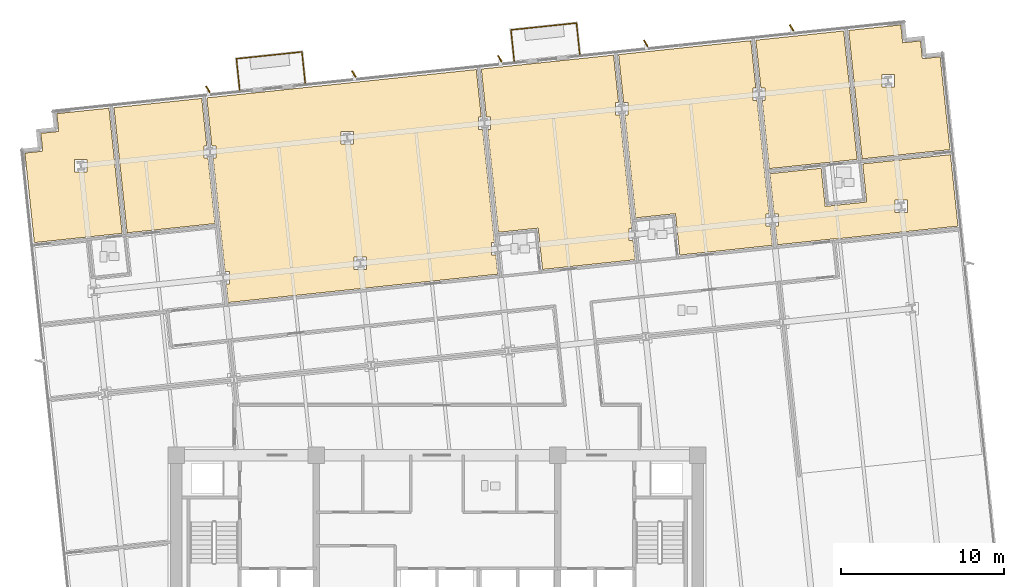
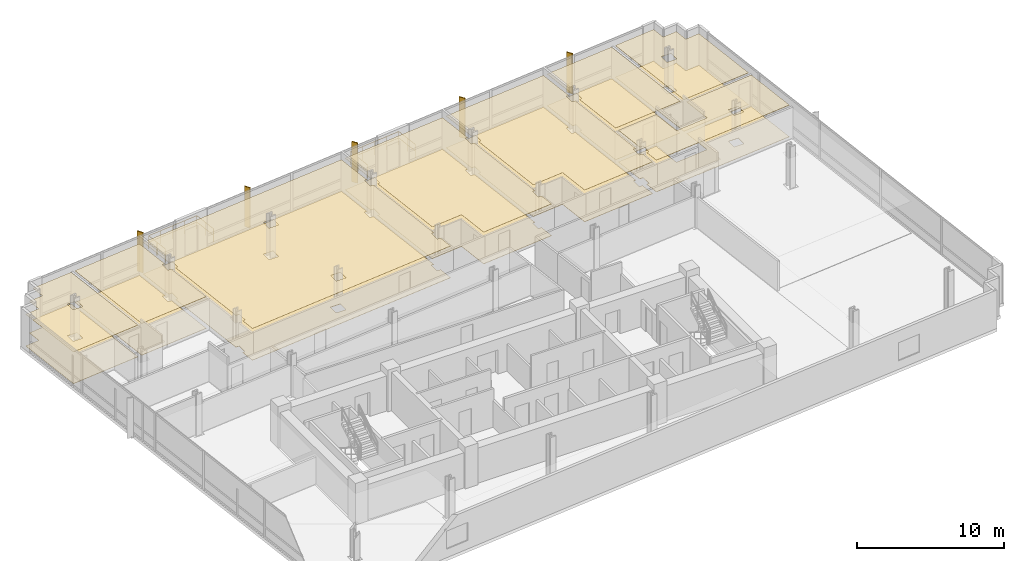
# One storey, part 17 of 18: 16 coverings, 6 railings, 5 shading devices.
"""IFC4 building model written with IfcOpenShell, lengths in metres."""

from ifc_helpers import new_model, si_unit, direction, frame, origin, origin_2d, place, context, subcontext, project, spatial, polyline, rectangle, circle, outline, extrude, material, layer, layer_set, type_object, element, save


model = new_model("IFC4")

# Units and contexts
model_context = context("Model", 3, precision=1e-05, world=origin(), true_north=direction((0.0, 1.0)))
body_context = subcontext(model_context, "Body", "Model", "MODEL_VIEW")
ifc_project = project(units=[si_unit("LENGTHUNIT", "METRE"), si_unit("AREAUNIT", "SQUARE_METRE"), si_unit("VOLUMEUNIT", "CUBIC_METRE"), si_unit("PLANEANGLEUNIT", "RADIAN"), si_unit("MASSUNIT", "GRAM", prefix="KILO")], contexts=[model_context])

# Site, building, storey
site_placement = place(None, origin())
site = spatial("IfcSite", under=ifc_project, at=site_placement, CompositionType="ELEMENT")
building_placement = place(site_placement, origin())
building = spatial("IfcBuilding", under=site, at=building_placement, Name="Solmavex Isthmus Hotel", CompositionType="ELEMENT")
storey_placement = place(building_placement, frame((0.0, 0.0, 123.60009765625)))
storey = spatial("IfcBuildingStorey", under=building, at=storey_placement, Name="L33", CompositionType="ELEMENT", Elevation=123.60009765625)

# Coverings
ifc_material_1 = material(Name="Gypsum plasterboard lining", Category="gypsum")
ifc_layer_1 = layer(ifc_material_1, 0.030029296875)
ifc_layer_set_1 = layer_set([ifc_layer_1], Name="Gypsum plasterboard lining")
covering_type_1 = type_object("IfcCoveringType", Name="COV-CEIL-GYP", PredefinedType="CEILING", material=ifc_layer_set_1)
covering_1_placement = place(storey_placement, frame((0.0, 0.0, 2.619873046875)))
element("IfcCovering", 1, at=covering_1_placement, inside=storey, type_object=covering_type_1, Name="Suspended Acoustic Ceiling L33-TB01", PredefinedType="CEILING", context=body_context, shape_type="SweptSolid", body=[
    extrude(outline(polyline([(-25.276123046875, 16.030029296875), (-25.18994140625, 15.20947265625), (-24.698974609375, 10.538330078125), (-19.314453125, 11.104248046875), (-20.121826171875, 18.783935546875), (-22.49755859375, 18.5341796875), (-23.318115234375, 18.447998046875), (-23.203125, 17.35400390625), (-24.297119140625, 17.239013671875), (-24.18212890625, 16.14501953125), (-25.276123046875, 16.030029296875)]), holes=[polyline([(-22.231689453125, 14.878662109375), (-22.231689453125, 15.638671875), (-21.4716796875, 15.638671875), (-21.4716796875, 14.878662109375), (-22.231689453125, 14.878662109375)])]), origin(), (0.0, 0.0, 1.0), 0.030029296875),
])
covering_2_placement = place(storey_placement, frame((0.0, 0.0, 2.619873046875)))
element("IfcCovering", 2, at=covering_2_placement, inside=storey, type_object=covering_type_1, Name="Suspended Acoustic Ceiling L33-TL01", PredefinedType="CEILING", context=body_context, shape_type="SweptSolid", body=[
    extrude(outline(polyline([(-14.043212890625, 15.711669921875), (-14.307373046875, 15.711669921875), (-14.307373046875, 16.4716796875), (-14.123291015625, 16.4716796875), (-14.42919921875, 19.38232421875), (-19.8134765625, 18.81640625), (-19.00634765625, 11.13671875), (-13.621826171875, 11.70263671875), (-14.043212890625, 15.711669921875)])), origin(), (0.0, 0.0, 1.0), 0.030029296875),
])
covering_3_placement = place(storey_placement, frame((0.0, 0.0, 2.619873046875)))
element("IfcCovering", 3, at=covering_3_placement, inside=storey, type_object=covering_type_1, Name="Suspended Acoustic Ceiling L33-RM02", PredefinedType="CEILING", context=body_context, shape_type="SweptSolid", body=[
    extrude(outline(polyline([(-13.001220703125, 8.76220703125), (-12.737060546875, 8.76220703125), (-12.737060546875, 8.002197265625), (-12.92138671875, 8.002197265625), (-12.8017578125, 6.86376953125), (3.729248046875, 8.601318359375), (3.606201171875, 9.77197265625), (3.34228515625, 9.77197265625), (3.34228515625, 10.531982421875), (3.5263671875, 10.531982421875), (2.7958984375, 17.4814453125), (2.53173828125, 17.4814453125), (2.53173828125, 18.241455078125), (2.716064453125, 18.241455078125), (2.41015625, 21.152099609375), (-14.120849609375, 19.41455078125), (-13.927978515625, 17.5810546875), (-13.8115234375, 16.4716796875), (-13.54736328125, 16.4716796875), (-13.54736328125, 15.711669921875), (-13.731689453125, 15.711669921875), (-13.001220703125, 8.76220703125)]), holes=[polyline([(-5.077392578125, 8.886962890625), (-5.077392578125, 9.64697265625), (-4.3173828125, 9.64697265625), (-4.3173828125, 8.886962890625), (-5.077392578125, 8.886962890625)]), polyline([(-5.8876953125, 17.356689453125), (-5.127685546875, 17.356689453125), (-5.127685546875, 16.5966796875), (-5.8876953125, 16.5966796875), (-5.8876953125, 17.356689453125)])]), origin(), (0.0, 0.0, 1.0), 0.030029296875),
])
covering_4_placement = place(storey_placement, frame((0.0, 0.0, 2.619873046875)))
element("IfcCovering", 4, at=covering_4_placement, inside=storey, type_object=covering_type_1, Name="Suspended Acoustic Ceiling L33-RM03", PredefinedType="CEILING", context=body_context, shape_type="SweptSolid", body=[
    extrude(outline(polyline([(3.02783203125, 18.241455078125), (3.291748046875, 18.241455078125), (3.291748046875, 17.4814453125), (3.107666015625, 17.4814453125), (3.77099609375, 11.169677734375), (6.20751953125, 11.42578125), (6.47412109375, 8.8896484375), (6.9794921875, 8.94287109375), (9.28173828125, 9.184814453125), (12.14892578125, 9.486083984375), (12.02587890625, 10.656982421875), (11.76171875, 10.656982421875), (11.76171875, 11.4169921875), (11.946044921875, 11.4169921875), (11.215576171875, 18.366455078125), (10.951416015625, 18.366455078125), (10.951416015625, 19.12646484375), (11.1357421875, 19.12646484375), (10.829833984375, 22.037109375), (2.718505859375, 21.1845703125), (2.99609375, 18.542236328125), (3.02783203125, 18.241455078125)])), origin(), (0.0, 0.0, 1.0), 0.030029296875),
])
covering_5_placement = place(storey_placement, frame((0.0, 0.0, 2.619873046875)))
element("IfcCovering", 5, at=covering_5_placement, inside=storey, type_object=covering_type_1, Name="Suspended Acoustic Ceiling L33-RM04", PredefinedType="CEILING", context=body_context, shape_type="SweptSolid", body=[
    extrude(outline(polyline([(11.447509765625, 19.12646484375), (11.71142578125, 19.12646484375), (11.71142578125, 18.366455078125), (11.52734375, 18.366455078125), (11.865234375, 15.15185546875), (12.190673828125, 12.0546875), (14.627197265625, 12.310791015625), (14.893798828125, 9.774658203125), (20.568603515625, 10.37109375), (20.445556640625, 11.541748046875), (20.181396484375, 11.541748046875), (20.181396484375, 12.3017578125), (20.36572265625, 12.3017578125), (19.63525390625, 19.25146484375), (19.37109375, 19.25146484375), (19.37109375, 20.011474609375), (19.555419921875, 20.011474609375), (19.24951171875, 22.921875), (11.13818359375, 22.0693359375), (11.447509765625, 19.12646484375)])), origin(), (0.0, 0.0, 1.0), 0.030029296875),
])
covering_6_placement = place(storey_placement, frame((0.0, 0.0, 2.619873046875)))
element("IfcCovering", 6, at=covering_6_placement, inside=storey, type_object=covering_type_1, Name="Suspended Acoustic Ceiling L33-SH05-LV", PredefinedType="CEILING", context=body_context, shape_type="SweptSolid", body=[
    extrude(outline(polyline([(23.56494140625, 15.09814453125), (20.418212890625, 14.767578125), (20.67724609375, 12.3017578125), (20.94140625, 12.3017578125), (20.94140625, 11.541748046875), (20.75732421875, 11.541748046875), (20.876953125, 10.403564453125), (24.45703125, 10.77978515625), (24.459228515625, 10.760009765625), (31.955810546875, 11.5478515625), (31.4951171875, 15.931640625), (26.11083984375, 15.36572265625), (26.3564453125, 13.028564453125), (23.810546875, 12.760986328125), (23.56494140625, 15.09814453125)]), holes=[polyline([(28.105712890625, 12.374755859375), (28.105712890625, 13.134765625), (28.86572265625, 13.134765625), (28.86572265625, 12.374755859375), (28.105712890625, 12.374755859375)])]), origin(), (0.0, 0.0, 1.0), 0.030029296875),
])
covering_7_placement = place(storey_placement, frame((0.0, 0.0, 2.619873046875)))
element("IfcCovering", 7, at=covering_7_placement, inside=storey, type_object=covering_type_1, Name="Suspended Acoustic Ceiling L33-HB05", PredefinedType="CEILING", context=body_context, shape_type="SweptSolid", body=[
    extrude(outline(polyline([(19.866943359375, 20.011474609375), (20.131103515625, 20.011474609375), (20.131103515625, 19.25146484375), (19.947021484375, 19.25146484375), (20.3857421875, 15.07568359375), (25.77001953125, 15.6416015625), (24.942138671875, 23.520263671875), (19.5576171875, 22.954345703125), (19.866943359375, 20.011474609375)])), origin(), (0.0, 0.0, 1.0), 0.030029296875),
])
covering_8_placement = place(storey_placement, frame((0.0, 0.0, 2.619873046875)))
element("IfcCovering", 8, at=covering_8_placement, inside=storey, type_object=covering_type_1, Name="Suspended Acoustic Ceiling L33-HP05", PredefinedType="CEILING", context=body_context, shape_type="SweptSolid", body=[
    extrude(outline(polyline([(30.950927734375, 21.110107421875), (30.86474609375, 21.9306640625), (29.770751953125, 21.815673828125), (29.65576171875, 22.90966796875), (28.561767578125, 22.794677734375), (28.44677734375, 23.888671875), (27.626220703125, 23.802490234375), (25.250244140625, 23.552734375), (26.078369140625, 15.674072265625), (31.462646484375, 16.239990234375), (30.950927734375, 21.110107421875)]), holes=[polyline([(27.29541015625, 20.84423828125), (28.055419921875, 20.84423828125), (28.055419921875, 20.084228515625), (27.29541015625, 20.084228515625), (27.29541015625, 20.84423828125)])]), origin(), (0.0, 0.0, 1.0), 0.030029296875),
])
ifc_material_2 = material(Name="Travertine natural stone", Category="masonry")
ifc_layer_2 = layer(ifc_material_2, 0.02490234375)
ifc_layer_set_2 = layer_set([ifc_layer_2], Name="Travertine natural stone")
covering_type_2 = type_object("IfcCoveringType", Name="COV-FLOR-STN", PredefinedType="FLOORING", material=ifc_layer_set_2)
covering_9_placement = place(storey_placement, origin())
element("IfcCovering", 9, at=covering_9_placement, inside=storey, type_object=covering_type_2, Name="Stone and Timber Floor Finish L33-TB01", PredefinedType="FLOORING", context=body_context, shape_type="SweptSolid", body=[
    extrude(outline(polyline([(-25.276123046875, 16.030029296875), (-25.18994140625, 15.20947265625), (-24.698974609375, 10.538330078125), (-19.314453125, 11.104248046875), (-20.121826171875, 18.783935546875), (-22.49755859375, 18.5341796875), (-23.318115234375, 18.447998046875), (-23.203125, 17.35400390625), (-24.297119140625, 17.239013671875), (-24.18212890625, 16.14501953125), (-25.276123046875, 16.030029296875)]), holes=[polyline([(-22.231689453125, 14.878662109375), (-22.231689453125, 15.638671875), (-21.4716796875, 15.638671875), (-21.4716796875, 14.878662109375), (-22.231689453125, 14.878662109375)])]), origin(), (0.0, 0.0, 1.0), 0.02490234375),
])
covering_10_placement = place(storey_placement, origin())
element("IfcCovering", 10, at=covering_10_placement, inside=storey, type_object=covering_type_2, Name="Stone and Timber Floor Finish L33-TL01", PredefinedType="FLOORING", context=body_context, shape_type="SweptSolid", body=[
    extrude(outline(polyline([(-14.043212890625, 15.711669921875), (-14.307373046875, 15.711669921875), (-14.307373046875, 16.4716796875), (-14.123291015625, 16.4716796875), (-14.42919921875, 19.38232421875), (-19.8134765625, 18.81640625), (-19.00634765625, 11.13671875), (-13.621826171875, 11.70263671875), (-14.043212890625, 15.711669921875)])), origin(), (0.0, 0.0, 1.0), 0.02490234375),
])
covering_11_placement = place(storey_placement, origin())
element("IfcCovering", 11, at=covering_11_placement, inside=storey, type_object=covering_type_2, Name="Stone and Timber Floor Finish L33-RM02", PredefinedType="FLOORING", context=body_context, shape_type="SweptSolid", body=[
    extrude(outline(polyline([(-13.001220703125, 8.76220703125), (-12.737060546875, 8.76220703125), (-12.737060546875, 8.002197265625), (-12.92138671875, 8.002197265625), (-12.8017578125, 6.86376953125), (3.729248046875, 8.601318359375), (3.606201171875, 9.77197265625), (3.34228515625, 9.77197265625), (3.34228515625, 10.531982421875), (3.5263671875, 10.531982421875), (2.7958984375, 17.4814453125), (2.53173828125, 17.4814453125), (2.53173828125, 18.241455078125), (2.716064453125, 18.241455078125), (2.41015625, 21.152099609375), (-14.120849609375, 19.41455078125), (-13.927978515625, 17.5810546875), (-13.8115234375, 16.4716796875), (-13.54736328125, 16.4716796875), (-13.54736328125, 15.711669921875), (-13.731689453125, 15.711669921875), (-13.001220703125, 8.76220703125)]), holes=[polyline([(-5.077392578125, 8.886962890625), (-5.077392578125, 9.64697265625), (-4.3173828125, 9.64697265625), (-4.3173828125, 8.886962890625), (-5.077392578125, 8.886962890625)]), polyline([(-5.8876953125, 17.356689453125), (-5.127685546875, 17.356689453125), (-5.127685546875, 16.5966796875), (-5.8876953125, 16.5966796875), (-5.8876953125, 17.356689453125)])]), origin(), (0.0, 0.0, 1.0), 0.02490234375),
])
covering_12_placement = place(storey_placement, origin())
element("IfcCovering", 12, at=covering_12_placement, inside=storey, type_object=covering_type_2, Name="Stone and Timber Floor Finish L33-RM03", PredefinedType="FLOORING", context=body_context, shape_type="SweptSolid", body=[
    extrude(outline(polyline([(3.02783203125, 18.241455078125), (3.291748046875, 18.241455078125), (3.291748046875, 17.4814453125), (3.107666015625, 17.4814453125), (3.77099609375, 11.169677734375), (6.20751953125, 11.42578125), (6.47412109375, 8.8896484375), (6.9794921875, 8.94287109375), (9.28173828125, 9.184814453125), (12.14892578125, 9.486083984375), (12.02587890625, 10.656982421875), (11.76171875, 10.656982421875), (11.76171875, 11.4169921875), (11.946044921875, 11.4169921875), (11.215576171875, 18.366455078125), (10.951416015625, 18.366455078125), (10.951416015625, 19.12646484375), (11.1357421875, 19.12646484375), (10.829833984375, 22.037109375), (2.718505859375, 21.1845703125), (2.99609375, 18.542236328125), (3.02783203125, 18.241455078125)])), origin(), (0.0, 0.0, 1.0), 0.02490234375),
])
covering_13_placement = place(storey_placement, origin())
element("IfcCovering", 13, at=covering_13_placement, inside=storey, type_object=covering_type_2, Name="Stone and Timber Floor Finish L33-RM04", PredefinedType="FLOORING", context=body_context, shape_type="SweptSolid", body=[
    extrude(outline(polyline([(11.447509765625, 19.12646484375), (11.71142578125, 19.12646484375), (11.71142578125, 18.366455078125), (11.52734375, 18.366455078125), (11.865234375, 15.15185546875), (12.190673828125, 12.0546875), (14.627197265625, 12.310791015625), (14.893798828125, 9.774658203125), (20.568603515625, 10.37109375), (20.445556640625, 11.541748046875), (20.181396484375, 11.541748046875), (20.181396484375, 12.3017578125), (20.36572265625, 12.3017578125), (19.63525390625, 19.25146484375), (19.37109375, 19.25146484375), (19.37109375, 20.011474609375), (19.555419921875, 20.011474609375), (19.24951171875, 22.921875), (11.13818359375, 22.0693359375), (11.447509765625, 19.12646484375)])), origin(), (0.0, 0.0, 1.0), 0.02490234375),
])
covering_14_placement = place(storey_placement, origin())
element("IfcCovering", 14, at=covering_14_placement, inside=storey, type_object=covering_type_2, Name="Stone and Timber Floor Finish L33-SH05-LV", PredefinedType="FLOORING", context=body_context, shape_type="SweptSolid", body=[
    extrude(outline(polyline([(23.56494140625, 15.09814453125), (20.418212890625, 14.767578125), (20.67724609375, 12.3017578125), (20.94140625, 12.3017578125), (20.94140625, 11.541748046875), (20.75732421875, 11.541748046875), (20.876953125, 10.403564453125), (24.45703125, 10.77978515625), (24.459228515625, 10.760009765625), (31.955810546875, 11.5478515625), (31.4951171875, 15.931640625), (26.11083984375, 15.36572265625), (26.3564453125, 13.028564453125), (23.810546875, 12.760986328125), (23.56494140625, 15.09814453125)]), holes=[polyline([(28.105712890625, 12.374755859375), (28.105712890625, 13.134765625), (28.86572265625, 13.134765625), (28.86572265625, 12.374755859375), (28.105712890625, 12.374755859375)])]), origin(), (0.0, 0.0, 1.0), 0.02490234375),
])
covering_15_placement = place(storey_placement, origin())
element("IfcCovering", 15, at=covering_15_placement, inside=storey, type_object=covering_type_2, Name="Stone and Timber Floor Finish L33-HB05", PredefinedType="FLOORING", context=body_context, shape_type="SweptSolid", body=[
    extrude(outline(polyline([(19.866943359375, 20.011474609375), (20.131103515625, 20.011474609375), (20.131103515625, 19.25146484375), (19.947021484375, 19.25146484375), (20.3857421875, 15.07568359375), (25.77001953125, 15.6416015625), (24.942138671875, 23.520263671875), (19.5576171875, 22.954345703125), (19.866943359375, 20.011474609375)])), origin(), (0.0, 0.0, 1.0), 0.02490234375),
])
covering_16_placement = place(storey_placement, origin())
element("IfcCovering", 16, at=covering_16_placement, inside=storey, type_object=covering_type_2, Name="Stone and Timber Floor Finish L33-HP05", PredefinedType="FLOORING", context=body_context, shape_type="SweptSolid", body=[
    extrude(outline(polyline([(30.950927734375, 21.110107421875), (30.86474609375, 21.9306640625), (29.770751953125, 21.815673828125), (29.65576171875, 22.90966796875), (28.561767578125, 22.794677734375), (28.44677734375, 23.888671875), (27.626220703125, 23.802490234375), (25.250244140625, 23.552734375), (26.078369140625, 15.674072265625), (31.462646484375, 16.239990234375), (30.950927734375, 21.110107421875)]), holes=[polyline([(27.29541015625, 20.84423828125), (28.055419921875, 20.84423828125), (28.055419921875, 20.084228515625), (27.29541015625, 20.084228515625), (27.29541015625, 20.84423828125)])]), origin(), (0.0, 0.0, 1.0), 0.02490234375),
])

# Railings
ifc_material_3 = material(Name="Clear low-E laminated glass", Category="glass")
ifc_layer_3 = layer(ifc_material_3, 0.070068359375)
ifc_layer_set_3 = layer_set([ifc_layer_3], Name="Clear low-E laminated glass")
railing_type = type_object("IfcRailingType", Name="RAIL-GUARD-1100", PredefinedType="BALUSTRADE", material=ifc_layer_set_3)
railing_1_placement = place(storey_placement, frame((-12.102783203125, 19.9033203125, 0.0)))
element("IfcRailing", 17, at=railing_1_placement, inside=storey, type_object=railing_type, Name="Guardrail Balustrade L33-BAL1-01", PredefinedType="BALUSTRADE", context=body_context, shape_type="SweptSolid", body=[
    extrude(circle(Radius=0.02392578125, at=origin_2d()), frame((0.0, 0.0, 1.09619140625), z_axis=(-0.104525919671, 0.994522162708, 0.0), x_axis=(-0.994522162708, -0.104525919671, 0.0)), (0.0, 0.0, 1.0), 1.919921875),
    extrude(circle(Radius=0.02392578125, at=origin_2d()), frame((0.0, 0.0, 0.56005859375), z_axis=(-0.104525919671, 0.994522162708, 0.0), x_axis=(-0.994522162708, -0.104525919671, 0.0)), (0.0, 0.0, 1.0), 1.919921875),
    extrude(circle(Radius=0.02099609375, at=origin_2d()), origin(), (0.0, 0.0, 1.0), 1.072021484375),
    extrude(circle(Radius=0.02099609375, at=origin_2d()), frame((-0.100341796875, 0.95458984375, 0.0)), (0.0, 0.0, 1.0), 1.072021484375),
    extrude(circle(Radius=0.02099609375, at=origin_2d()), frame((-0.20068359375, 1.909423828125, 0.0)), (0.0, 0.0, 1.0), 1.072021484375),
])
railing_2_placement = place(storey_placement, frame((-12.303466796875, 21.812744140625, 0.0)))
element("IfcRailing", 18, at=railing_2_placement, inside=storey, type_object=railing_type, Name="Guardrail Balustrade L33-BAL1-02", PredefinedType="BALUSTRADE", context=body_context, shape_type="SweptSolid", body=[
    extrude(circle(Radius=0.02392578125, at=origin_2d()), frame((0.0, 0.0, 1.09619140625), z_axis=(0.994520013058, 0.104546370699, 0.0), x_axis=(-0.104546370699, 0.994520013058, 0.0)), (0.0, 0.0, 1.0), 4.0400390625),
    extrude(circle(Radius=0.02392578125, at=origin_2d()), frame((0.0, 0.0, 0.56005859375), z_axis=(0.994520013058, 0.104546370699, 0.0), x_axis=(-0.104546370699, 0.994520013058, 0.0)), (0.0, 0.0, 1.0), 4.0400390625),
    extrude(circle(Radius=0.02099609375, at=origin_2d()), origin(), (0.0, 0.0, 1.0), 1.072021484375),
    extrude(circle(Radius=0.02099609375, at=origin_2d()), frame((1.00439453125, 0.10546875, 0.0)), (0.0, 0.0, 1.0), 1.072021484375),
    extrude(circle(Radius=0.02099609375, at=origin_2d()), frame((2.0087890625, 0.211181640625, 0.0)), (0.0, 0.0, 1.0), 1.072021484375),
    extrude(circle(Radius=0.02099609375, at=origin_2d()), frame((3.013427734375, 0.31689453125, 0.0)), (0.0, 0.0, 1.0), 1.072021484375),
    extrude(circle(Radius=0.02099609375, at=origin_2d()), frame((4.017822265625, 0.42236328125, 0.0)), (0.0, 0.0, 1.0), 1.072021484375),
])
railing_3_placement = place(storey_placement, frame((-8.28564453125, 22.235107421875, 0.0)))
element("IfcRailing", 19, at=railing_3_placement, inside=storey, type_object=railing_type, Name="Guardrail Balustrade L33-BAL1-03", PredefinedType="BALUSTRADE", context=body_context, shape_type="SweptSolid", body=[
    extrude(circle(Radius=0.02392578125, at=origin_2d()), frame((0.0, 0.0, 1.09619140625), z_axis=(0.104512702575, -0.994523551758, 0.0), x_axis=(0.994523551758, 0.104512702575, 0.0)), (0.0, 0.0, 1.0), 1.920166015625),
    extrude(circle(Radius=0.02392578125, at=origin_2d()), frame((0.0, 0.0, 0.56005859375), z_axis=(0.104512702575, -0.994523551758, 0.0), x_axis=(0.994523551758, 0.104512702575, 0.0)), (0.0, 0.0, 1.0), 1.920166015625),
    extrude(circle(Radius=0.02099609375, at=origin_2d()), origin(), (0.0, 0.0, 1.0), 1.072021484375),
    extrude(circle(Radius=0.02099609375, at=origin_2d()), frame((0.100341796875, -0.954833984375, 0.0)), (0.0, 0.0, 1.0), 1.072021484375),
    extrude(circle(Radius=0.02099609375, at=origin_2d()), frame((0.20068359375, -1.90966796875, 0.0)), (0.0, 0.0, 1.0), 1.072021484375),
])
railing_4_placement = place(storey_placement, frame((4.736328125, 21.673095703125, 0.0)))
element("IfcRailing", 20, at=railing_4_placement, inside=storey, type_object=railing_type, Name="Guardrail Balustrade L33-BAL2-01", PredefinedType="BALUSTRADE", context=body_context, shape_type="SweptSolid", body=[
    extrude(circle(Radius=0.02392578125, at=origin_2d()), frame((0.0, 0.0, 1.09619140625), z_axis=(-0.104525919671, 0.994522162708, 0.0), x_axis=(-0.994522162708, -0.104525919671, 0.0)), (0.0, 0.0, 1.0), 1.919921875),
    extrude(circle(Radius=0.02392578125, at=origin_2d()), frame((0.0, 0.0, 0.56005859375), z_axis=(-0.104525919671, 0.994522162708, 0.0), x_axis=(-0.994522162708, -0.104525919671, 0.0)), (0.0, 0.0, 1.0), 1.919921875),
    extrude(circle(Radius=0.02099609375, at=origin_2d()), origin(), (0.0, 0.0, 1.0), 1.072021484375),
    extrude(circle(Radius=0.02099609375, at=origin_2d()), frame((-0.100341796875, 0.95458984375, 0.0)), (0.0, 0.0, 1.0), 1.072021484375),
    extrude(circle(Radius=0.02099609375, at=origin_2d()), frame((-0.20068359375, 1.909423828125, 0.0)), (0.0, 0.0, 1.0), 1.072021484375),
])
railing_5_placement = place(storey_placement, frame((4.53564453125, 23.58251953125, 0.0)))
element("IfcRailing", 21, at=railing_5_placement, inside=storey, type_object=railing_type, Name="Guardrail Balustrade L33-BAL2-02", PredefinedType="BALUSTRADE", context=body_context, shape_type="SweptSolid", body=[
    extrude(circle(Radius=0.02392578125, at=origin_2d()), frame((0.0, 0.0, 1.09619140625), z_axis=(0.994520673511, 0.10454008781, 0.0), x_axis=(-0.10454008781, 0.994520673511, 0.0)), (0.0, 0.0, 1.0), 4.040283203125),
    extrude(circle(Radius=0.02392578125, at=origin_2d()), frame((0.0, 0.0, 0.56005859375), z_axis=(0.994520673511, 0.10454008781, 0.0), x_axis=(-0.10454008781, 0.994520673511, 0.0)), (0.0, 0.0, 1.0), 4.040283203125),
    extrude(circle(Radius=0.02099609375, at=origin_2d()), origin(), (0.0, 0.0, 1.0), 1.072021484375),
    extrude(circle(Radius=0.02099609375, at=origin_2d()), frame((1.00439453125, 0.10546875, 0.0)), (0.0, 0.0, 1.0), 1.072021484375),
    extrude(circle(Radius=0.02099609375, at=origin_2d()), frame((2.009033203125, 0.211181640625, 0.0)), (0.0, 0.0, 1.0), 1.072021484375),
    extrude(circle(Radius=0.02099609375, at=origin_2d()), frame((3.013671875, 0.31689453125, 0.0)), (0.0, 0.0, 1.0), 1.072021484375),
    extrude(circle(Radius=0.02099609375, at=origin_2d()), frame((4.01806640625, 0.42236328125, 0.0)), (0.0, 0.0, 1.0), 1.072021484375),
])
railing_6_placement = place(storey_placement, frame((8.5537109375, 24.0048828125, 0.0)))
element("IfcRailing", 22, at=railing_6_placement, inside=storey, type_object=railing_type, Name="Guardrail Balustrade L33-BAL2-03", PredefinedType="BALUSTRADE", context=body_context, shape_type="SweptSolid", body=[
    extrude(circle(Radius=0.02392578125, at=origin_2d()), frame((0.0, 0.0, 1.09619140625), z_axis=(0.104525919671, -0.994522162708, 0.0), x_axis=(0.994522162708, 0.104525919671, 0.0)), (0.0, 0.0, 1.0), 1.919921875),
    extrude(circle(Radius=0.02392578125, at=origin_2d()), frame((0.0, 0.0, 0.56005859375), z_axis=(0.104525919671, -0.994522162708, 0.0), x_axis=(0.994522162708, 0.104525919671, 0.0)), (0.0, 0.0, 1.0), 1.919921875),
    extrude(circle(Radius=0.02099609375, at=origin_2d()), origin(), (0.0, 0.0, 1.0), 1.072021484375),
    extrude(circle(Radius=0.02099609375, at=origin_2d()), frame((0.100341796875, -0.95458984375, 0.0)), (0.0, 0.0, 1.0), 1.072021484375),
    extrude(circle(Radius=0.02099609375, at=origin_2d()), frame((0.20068359375, -1.909423828125, 0.0)), (0.0, 0.0, 1.0), 1.072021484375),
])

# Shading devices
ifc_material_4 = material(Name="Aluminium alloy 6063-T6", Category="aluminium")
shading_device_type = type_object("IfcShadingDeviceType", Name="SHD-FIN-BRONZE", PredefinedType="USERDEFINED", material=ifc_material_4)
for number, where, z_axis, x_axis, name in (
    (23, (-14.04833984375, 19.940185546875, -0.14013671875), (0.0, 0.0, 1.0), (-0.529919264233, 0.848048096156, 0.0), "Anodised Aluminium Solar Fin L33-N1"),
    (24, (-5.09765625, 20.880859375, -0.14013671875), (0.0, 0.0, 1.0), (-0.529919264233, 0.848048096156, 0.0), "Anodised Aluminium Solar Fin L33-N2"),
    (25, (3.85302734375, 21.821533203125, -0.14013671875), (0.0, 0.0, 1.0), (-0.529919264233, 0.848048096156, 0.0), "Anodised Aluminium Solar Fin L33-N3"),
    (26, (12.8037109375, 22.762451171875, -0.14013671875), (0.0, 0.0, 1.0), (-0.529919264233, 0.848048096156, 0.0), "Anodised Aluminium Solar Fin L33-N4"),
    (27, (21.75439453125, 23.703125, -0.14013671875), (0.0, 0.0, 1.0), (-0.529919264233, 0.848048096156, 0.0), "Anodised Aluminium Solar Fin L33-N5"),
):
    element("IfcShadingDevice", number, at=place(storey_placement, frame(where, z_axis=z_axis, x_axis=x_axis)), inside=storey, type_object=shading_device_type, Name=name, ObjectType="SOLAR_FIN", PredefinedType="USERDEFINED", context=body_context, shape_type="SweptSolid", body=[
        extrude(rectangle(XDim=0.449951171875, YDim=0.080078125, at=origin_2d()), origin(), (0.0, 0.0, 1.0), 3.330078125),
    ])

save(model, "model.ifc")
